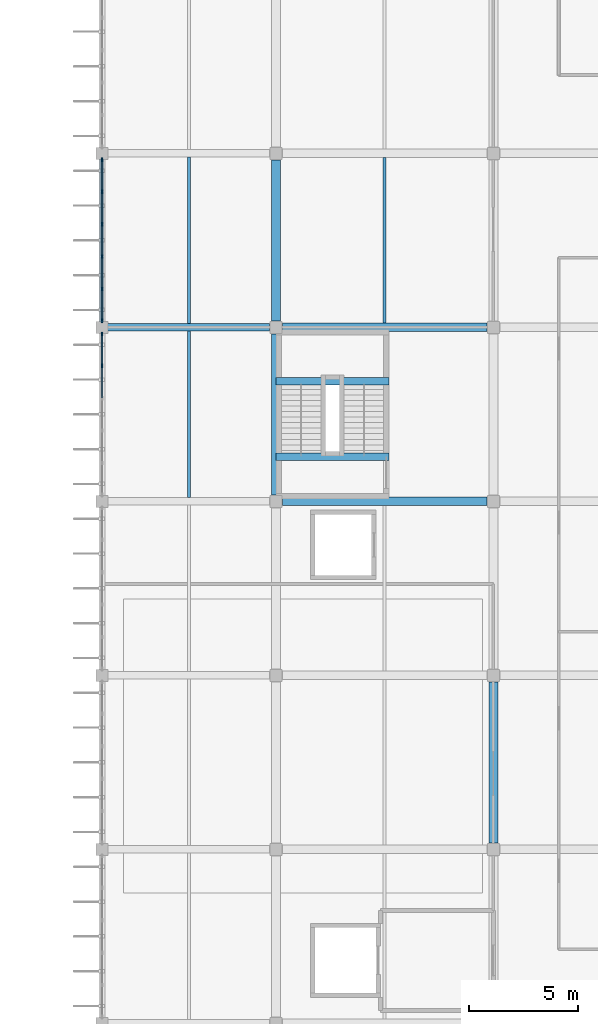
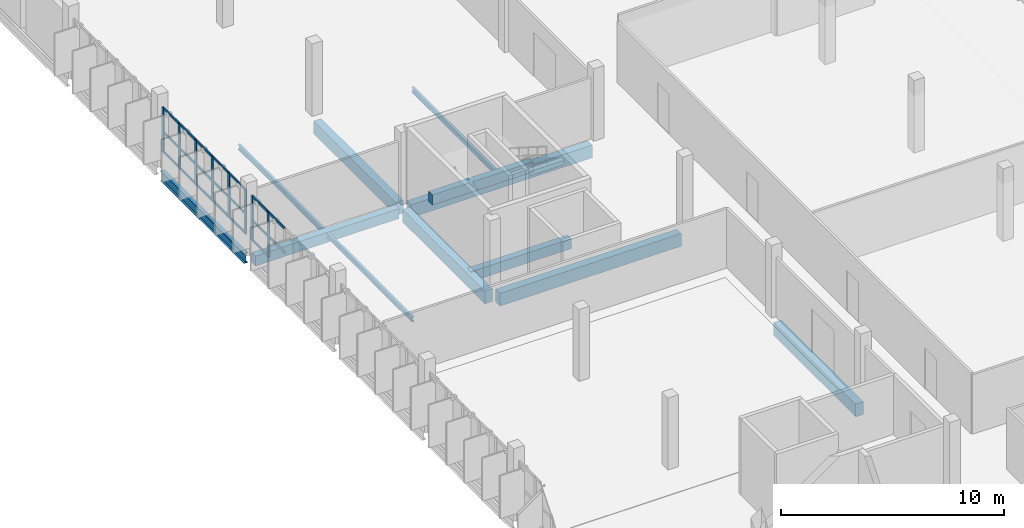
# One storey, part 15 of 38: 28 members, 12 beams, 2 elements without a shape of their own.
"""IFC4 building model written with IfcOpenShell, lengths in metres."""

from ifc_helpers import new_model, si_unit, direction, frame, origin, origin_2d, place, context, subcontext, project, spatial, rectangle, i_section, extrude, material, layer, layer_set, material_profile, profile_set, type_object, element, aggregate, save


model = new_model("IFC4")

# Units and contexts
model_context = context("Model", 3, precision=1e-05, world=origin(), true_north=direction((0.0, 1.0)))
body_context = subcontext(model_context, "Body", "Model", "MODEL_VIEW")
ifc_project = project(units=[si_unit("LENGTHUNIT", "METRE"), si_unit("AREAUNIT", "SQUARE_METRE"), si_unit("VOLUMEUNIT", "CUBIC_METRE"), si_unit("PLANEANGLEUNIT", "RADIAN"), si_unit("MASSUNIT", "GRAM", prefix="KILO")], contexts=[model_context])

# Site, building, storey
site_placement = place(None, origin())
site = spatial("IfcSite", under=ifc_project, at=site_placement, CompositionType="ELEMENT")
building_placement = place(site_placement, origin())
building = spatial("IfcBuilding", under=site, at=building_placement, Name="Drelvana Railside Aquatics Centre", CompositionType="ELEMENT")
storey_placement = place(building_placement, frame((0.0, 0.0, 14.39990234375)))
storey = spatial("IfcBuildingStorey", under=building, at=storey_placement, Name="L03", CompositionType="ELEMENT", Elevation=14.39990234375)

# Curtain wall, members
ifc_material_1 = material(Name="Bronze-anodised aluminium curtain wall", Category="aluminium")
ifc_layer = layer(ifc_material_1, 0.175048828125, Name="Bronze-anodised aluminium curtain wall")
ifc_layer_set = layer_set([ifc_layer], Name="Bronze-anodised aluminium curtain wall")
curtain_wall_type = type_object("IfcCurtainWallType", Name="CW-Z6-WING", PredefinedType="NOTDEFINED", material=ifc_layer_set)
curtain_wall_1_placement = place(storey_placement, origin())
curtain_wall_1 = element("IfcCurtainWall", 1, at=curtain_wall_1_placement, inside=storey, type_object=curtain_wall_type, Name="Curtain wall CW-06-154", PredefinedType="NOTDEFINED")
ifc_material_2 = material(Name="Bronze-anodised aluminium 6063-T6", Category="aluminium")
ifc_material_profile_1 = material_profile(ifc_material_2, rectangle(XDim=0.06494140625, YDim=0.175048828125, at=origin_2d()), Name="ALU-M 65x175")
ifc_profile_set_1 = profile_set([ifc_material_profile_1], Name="Bronze-anodised aluminium 6063-T6")
member_type_1 = type_object("IfcMemberType", Name="CW-Z6-WING-MUL", PredefinedType="MULLION", material=ifc_profile_set_1)
member_1_placement = place(storey_placement, frame((144.0, 62.238525390625, 0.794189453125), z_axis=(0.0, 0.0, 1.0), x_axis=(-1.0, 0.0, 0.0)))
member_1 = element("IfcMember", 2, at=member_1_placement, type_object=member_type_1, Name="CW-06 mullion 5", PredefinedType="MULLION", context=body_context, shape_type="SweptSolid", body=[
    extrude(rectangle(XDim=0.06494140625, YDim=0.175048828125, at=origin_2d()), origin(), (0.0, 0.0, 1.0), 2.455810546875),
])
member_2_placement = place(storey_placement, frame((144.0, 63.698486328125, 0.794189453125), z_axis=(0.0, 0.0, 1.0), x_axis=(-1.0, 0.0, 0.0)))
member_2 = element("IfcMember", 3, at=member_2_placement, type_object=member_type_1, Name="CW-06 mullion 6", PredefinedType="MULLION", context=body_context, shape_type="SweptSolid", body=[
    extrude(rectangle(XDim=0.06494140625, YDim=0.175048828125, at=origin_2d()), origin(), (0.0, 0.0, 1.0), 2.455810546875),
])

curtain_wall_2_placement = place(storey_placement, origin())
curtain_wall_2 = element("IfcCurtainWall", 4, at=curtain_wall_2_placement, inside=storey, type_object=curtain_wall_type, Name="Curtain wall CW-06-158", PredefinedType="NOTDEFINED")
member_3_placement = place(storey_placement, frame((144.0, 64.301513671875, 0.794189453125), z_axis=(0.0, 0.0, 1.0), x_axis=(-1.0, 0.0, 0.0)))
member_3 = element("IfcMember", 5, at=member_3_placement, type_object=member_type_1, Name="CW-06 mullion 1", PredefinedType="MULLION", context=body_context, shape_type="SweptSolid", body=[
    extrude(rectangle(XDim=0.06494140625, YDim=0.175048828125, at=origin_2d()), origin(), (0.0, 0.0, 1.0), 2.455810546875),
])
member_4_placement = place(storey_placement, frame((144.0, 65.761474609375, 0.794189453125), z_axis=(0.0, 0.0, 1.0), x_axis=(-1.0, 0.0, 0.0)))
member_4 = element("IfcMember", 6, at=member_4_placement, type_object=member_type_1, Name="CW-06 mullion 2", PredefinedType="MULLION", context=body_context, shape_type="SweptSolid", body=[
    extrude(rectangle(XDim=0.06494140625, YDim=0.175048828125, at=origin_2d()), origin(), (0.0, 0.0, 1.0), 2.455810546875),
])
member_5_placement = place(storey_placement, frame((144.0, 67.25390625, 0.794189453125), z_axis=(0.0, 0.0, 1.0), x_axis=(-1.0, 0.0, 0.0)))
member_5 = element("IfcMember", 7, at=member_5_placement, type_object=member_type_1, Name="CW-06 mullion 3", PredefinedType="MULLION", context=body_context, shape_type="SweptSolid", body=[
    extrude(rectangle(XDim=0.06494140625, YDim=0.175048828125, at=origin_2d()), origin(), (0.0, 0.0, 1.0), 2.455810546875),
])
member_6_placement = place(storey_placement, frame((144.0, 68.74609375, 0.794189453125), z_axis=(0.0, 0.0, 1.0), x_axis=(-1.0, 0.0, 0.0)))
member_6 = element("IfcMember", 8, at=member_6_placement, type_object=member_type_1, Name="CW-06 mullion 4", PredefinedType="MULLION", context=body_context, shape_type="SweptSolid", body=[
    extrude(rectangle(XDim=0.06494140625, YDim=0.175048828125, at=origin_2d()), origin(), (0.0, 0.0, 1.0), 2.455810546875),
])
member_7_placement = place(storey_placement, frame((144.0, 70.238525390625, 0.794189453125), z_axis=(0.0, 0.0, 1.0), x_axis=(-1.0, 0.0, 0.0)))
member_7 = element("IfcMember", 9, at=member_7_placement, type_object=member_type_1, Name="CW-06 mullion 5", PredefinedType="MULLION", context=body_context, shape_type="SweptSolid", body=[
    extrude(rectangle(XDim=0.06494140625, YDim=0.175048828125, at=origin_2d()), origin(), (0.0, 0.0, 1.0), 2.455810546875),
])
member_8_placement = place(storey_placement, frame((144.0, 71.698486328125, 0.794189453125), z_axis=(0.0, 0.0, 1.0), x_axis=(-1.0, 0.0, 0.0)))
member_8 = element("IfcMember", 10, at=member_8_placement, type_object=member_type_1, Name="CW-06 mullion 6", PredefinedType="MULLION", context=body_context, shape_type="SweptSolid", body=[
    extrude(rectangle(XDim=0.06494140625, YDim=0.175048828125, at=origin_2d()), origin(), (0.0, 0.0, 1.0), 2.455810546875),
])

# Member
ifc_material_profile_2 = material_profile(ifc_material_2, rectangle(XDim=0.1201171875, YDim=0.06005859375, at=origin_2d()), Name="ALU-T 60x120")
ifc_profile_set_2 = profile_set([ifc_material_profile_2], Name="Bronze-anodised aluminium 6063-T6")
member_type_2 = type_object("IfcMemberType", Name="CW-Z6-WING-TRN", PredefinedType="USERDEFINED", material=ifc_profile_set_2)
member_9_placement = place(storey_placement, frame((144.0, 60.773681640625, 1.899169921875), z_axis=(0.0, 1.0, 0.0), x_axis=(0.0, 0.0, 1.0)))
member_9 = element("IfcMember", 11, at=member_9_placement, type_object=member_type_2, Name="CW-06 transom 4.2", ObjectType="TRANSOM", PredefinedType="USERDEFINED", context=body_context, shape_type="SweptSolid", body=[
    extrude(rectangle(XDim=0.1201171875, YDim=0.06005859375, at=origin_2d()), origin(), (0.0, 0.0, 1.0), 1.4375),
])

member_10_placement = place(storey_placement, frame((144.0, 60.773681640625, 3.22021484375), z_axis=(0.0, 1.0, 0.0), x_axis=(0.0, 0.0, 1.0)))
member_10 = element("IfcMember", 12, at=member_10_placement, type_object=member_type_2, Name="CW-06 transom 4.3", ObjectType="TRANSOM", PredefinedType="USERDEFINED", context=body_context, shape_type="SweptSolid", body=[
    extrude(rectangle(XDim=0.1201171875, YDim=0.06005859375, at=origin_2d()), origin(), (0.0, 0.0, 1.0), 1.4375),
])

member_11_placement = place(storey_placement, frame((144.0, 62.26611328125, 0.82421875), z_axis=(0.0, 1.0, 0.0), x_axis=(0.0, 0.0, 1.0)))
member_11 = element("IfcMember", 13, at=member_11_placement, type_object=member_type_2, Name="CW-06 transom 5.1", ObjectType="TRANSOM", PredefinedType="USERDEFINED", context=body_context, shape_type="SweptSolid", body=[
    extrude(rectangle(XDim=0.1201171875, YDim=0.06005859375, at=origin_2d()), origin(), (0.0, 0.0, 1.0), 1.40478515625),
])

member_12_placement = place(storey_placement, frame((144.0, 62.26611328125, 1.899169921875), z_axis=(0.0, 1.0, 0.0), x_axis=(0.0, 0.0, 1.0)))
member_12 = element("IfcMember", 14, at=member_12_placement, type_object=member_type_2, Name="CW-06 transom 5.2", ObjectType="TRANSOM", PredefinedType="USERDEFINED", context=body_context, shape_type="SweptSolid", body=[
    extrude(rectangle(XDim=0.1201171875, YDim=0.06005859375, at=origin_2d()), origin(), (0.0, 0.0, 1.0), 1.40478515625),
])

member_13_placement = place(storey_placement, frame((144.0, 62.26611328125, 3.22021484375), z_axis=(0.0, 1.0, 0.0), x_axis=(0.0, 0.0, 1.0)))
member_13 = element("IfcMember", 15, at=member_13_placement, type_object=member_type_2, Name="CW-06 transom 5.3", ObjectType="TRANSOM", PredefinedType="USERDEFINED", context=body_context, shape_type="SweptSolid", body=[
    extrude(rectangle(XDim=0.1201171875, YDim=0.06005859375, at=origin_2d()), origin(), (0.0, 0.0, 1.0), 1.40478515625),
])

aggregate(curtain_wall_1, [member_1, member_2, member_9, member_10, member_11, member_12, member_13])

member_14_placement = place(storey_placement, frame((144.0, 64.3291015625, 0.82421875), z_axis=(0.0, 1.0, 0.0), x_axis=(0.0, 0.0, 1.0)))
member_14 = element("IfcMember", 16, at=member_14_placement, type_object=member_type_2, Name="CW-06 transom 1.1", ObjectType="TRANSOM", PredefinedType="USERDEFINED", context=body_context, shape_type="SweptSolid", body=[
    extrude(rectangle(XDim=0.1201171875, YDim=0.06005859375, at=origin_2d()), origin(), (0.0, 0.0, 1.0), 1.40478515625),
])

member_15_placement = place(storey_placement, frame((144.0, 64.3291015625, 1.899169921875), z_axis=(0.0, 1.0, 0.0), x_axis=(0.0, 0.0, 1.0)))
member_15 = element("IfcMember", 17, at=member_15_placement, type_object=member_type_2, Name="CW-06 transom 1.2", ObjectType="TRANSOM", PredefinedType="USERDEFINED", context=body_context, shape_type="SweptSolid", body=[
    extrude(rectangle(XDim=0.1201171875, YDim=0.06005859375, at=origin_2d()), origin(), (0.0, 0.0, 1.0), 1.40478515625),
])

member_16_placement = place(storey_placement, frame((144.0, 64.3291015625, 3.22021484375), z_axis=(0.0, 1.0, 0.0), x_axis=(0.0, 0.0, 1.0)))
member_16 = element("IfcMember", 18, at=member_16_placement, type_object=member_type_2, Name="CW-06 transom 1.3", ObjectType="TRANSOM", PredefinedType="USERDEFINED", context=body_context, shape_type="SweptSolid", body=[
    extrude(rectangle(XDim=0.1201171875, YDim=0.06005859375, at=origin_2d()), origin(), (0.0, 0.0, 1.0), 1.40478515625),
])

member_17_placement = place(storey_placement, frame((144.0, 65.788818359375, 0.82421875), z_axis=(0.0, 1.0, 0.0), x_axis=(0.0, 0.0, 1.0)))
member_17 = element("IfcMember", 19, at=member_17_placement, type_object=member_type_2, Name="CW-06 transom 2.1", ObjectType="TRANSOM", PredefinedType="USERDEFINED", context=body_context, shape_type="SweptSolid", body=[
    extrude(rectangle(XDim=0.1201171875, YDim=0.06005859375, at=origin_2d()), origin(), (0.0, 0.0, 1.0), 1.4375),
])

member_18_placement = place(storey_placement, frame((144.0, 65.788818359375, 1.899169921875), z_axis=(0.0, 1.0, 0.0), x_axis=(0.0, 0.0, 1.0)))
member_18 = element("IfcMember", 20, at=member_18_placement, type_object=member_type_2, Name="CW-06 transom 2.2", ObjectType="TRANSOM", PredefinedType="USERDEFINED", context=body_context, shape_type="SweptSolid", body=[
    extrude(rectangle(XDim=0.1201171875, YDim=0.06005859375, at=origin_2d()), origin(), (0.0, 0.0, 1.0), 1.4375),
])

member_19_placement = place(storey_placement, frame((144.0, 65.788818359375, 3.22021484375), z_axis=(0.0, 1.0, 0.0), x_axis=(0.0, 0.0, 1.0)))
member_19 = element("IfcMember", 21, at=member_19_placement, type_object=member_type_2, Name="CW-06 transom 2.3", ObjectType="TRANSOM", PredefinedType="USERDEFINED", context=body_context, shape_type="SweptSolid", body=[
    extrude(rectangle(XDim=0.1201171875, YDim=0.06005859375, at=origin_2d()), origin(), (0.0, 0.0, 1.0), 1.4375),
])

member_20_placement = place(storey_placement, frame((144.0, 67.28125, 0.82421875), z_axis=(0.0, 1.0, 0.0), x_axis=(0.0, 0.0, 1.0)))
member_20 = element("IfcMember", 22, at=member_20_placement, type_object=member_type_2, Name="CW-06 transom 3.1", ObjectType="TRANSOM", PredefinedType="USERDEFINED", context=body_context, shape_type="SweptSolid", body=[
    extrude(rectangle(XDim=0.1201171875, YDim=0.06005859375, at=origin_2d()), origin(), (0.0, 0.0, 1.0), 1.4375),
])

member_21_placement = place(storey_placement, frame((144.0, 67.28125, 1.899169921875), z_axis=(0.0, 1.0, 0.0), x_axis=(0.0, 0.0, 1.0)))
member_21 = element("IfcMember", 23, at=member_21_placement, type_object=member_type_2, Name="CW-06 transom 3.2", ObjectType="TRANSOM", PredefinedType="USERDEFINED", context=body_context, shape_type="SweptSolid", body=[
    extrude(rectangle(XDim=0.1201171875, YDim=0.06005859375, at=origin_2d()), origin(), (0.0, 0.0, 1.0), 1.4375),
])

member_22_placement = place(storey_placement, frame((144.0, 67.28125, 3.22021484375), z_axis=(0.0, 1.0, 0.0), x_axis=(0.0, 0.0, 1.0)))
member_22 = element("IfcMember", 24, at=member_22_placement, type_object=member_type_2, Name="CW-06 transom 3.3", ObjectType="TRANSOM", PredefinedType="USERDEFINED", context=body_context, shape_type="SweptSolid", body=[
    extrude(rectangle(XDim=0.1201171875, YDim=0.06005859375, at=origin_2d()), origin(), (0.0, 0.0, 1.0), 1.4375),
])

member_23_placement = place(storey_placement, frame((144.0, 68.773681640625, 0.82421875), z_axis=(0.0, 1.0, 0.0), x_axis=(0.0, 0.0, 1.0)))
member_23 = element("IfcMember", 25, at=member_23_placement, type_object=member_type_2, Name="CW-06 transom 4.1", ObjectType="TRANSOM", PredefinedType="USERDEFINED", context=body_context, shape_type="SweptSolid", body=[
    extrude(rectangle(XDim=0.1201171875, YDim=0.06005859375, at=origin_2d()), origin(), (0.0, 0.0, 1.0), 1.4375),
])

member_24_placement = place(storey_placement, frame((144.0, 68.773681640625, 1.899169921875), z_axis=(0.0, 1.0, 0.0), x_axis=(0.0, 0.0, 1.0)))
member_24 = element("IfcMember", 26, at=member_24_placement, type_object=member_type_2, Name="CW-06 transom 4.2", ObjectType="TRANSOM", PredefinedType="USERDEFINED", context=body_context, shape_type="SweptSolid", body=[
    extrude(rectangle(XDim=0.1201171875, YDim=0.06005859375, at=origin_2d()), origin(), (0.0, 0.0, 1.0), 1.4375),
])

member_25_placement = place(storey_placement, frame((144.0, 68.773681640625, 3.22021484375), z_axis=(0.0, 1.0, 0.0), x_axis=(0.0, 0.0, 1.0)))
member_25 = element("IfcMember", 27, at=member_25_placement, type_object=member_type_2, Name="CW-06 transom 4.3", ObjectType="TRANSOM", PredefinedType="USERDEFINED", context=body_context, shape_type="SweptSolid", body=[
    extrude(rectangle(XDim=0.1201171875, YDim=0.06005859375, at=origin_2d()), origin(), (0.0, 0.0, 1.0), 1.4375),
])

member_26_placement = place(storey_placement, frame((144.0, 70.26611328125, 0.82421875), z_axis=(0.0, 1.0, 0.0), x_axis=(0.0, 0.0, 1.0)))
member_26 = element("IfcMember", 28, at=member_26_placement, type_object=member_type_2, Name="CW-06 transom 5.1", ObjectType="TRANSOM", PredefinedType="USERDEFINED", context=body_context, shape_type="SweptSolid", body=[
    extrude(rectangle(XDim=0.1201171875, YDim=0.06005859375, at=origin_2d()), origin(), (0.0, 0.0, 1.0), 1.40478515625),
])

member_27_placement = place(storey_placement, frame((144.0, 70.26611328125, 1.899169921875), z_axis=(0.0, 1.0, 0.0), x_axis=(0.0, 0.0, 1.0)))
member_27 = element("IfcMember", 29, at=member_27_placement, type_object=member_type_2, Name="CW-06 transom 5.2", ObjectType="TRANSOM", PredefinedType="USERDEFINED", context=body_context, shape_type="SweptSolid", body=[
    extrude(rectangle(XDim=0.1201171875, YDim=0.06005859375, at=origin_2d()), origin(), (0.0, 0.0, 1.0), 1.40478515625),
])

member_28_placement = place(storey_placement, frame((144.0, 70.26611328125, 3.22021484375), z_axis=(0.0, 1.0, 0.0), x_axis=(0.0, 0.0, 1.0)))
member_28 = element("IfcMember", 30, at=member_28_placement, type_object=member_type_2, Name="CW-06 transom 5.3", ObjectType="TRANSOM", PredefinedType="USERDEFINED", context=body_context, shape_type="SweptSolid", body=[
    extrude(rectangle(XDim=0.1201171875, YDim=0.06005859375, at=origin_2d()), origin(), (0.0, 0.0, 1.0), 1.40478515625),
])

aggregate(curtain_wall_2, [member_3, member_4, member_5, member_6, member_7, member_8, member_14, member_15, member_16, member_17, member_18, member_19, member_20, member_21, member_22, member_23, member_24, member_25, member_26, member_27, member_28])

# Beams
ifc_material_3 = material(Name="Concrete C40/50", Category="concrete")
ifc_material_profile_3 = material_profile(ifc_material_3, rectangle(XDim=0.35009765625, YDim=0.550048828125, at=origin_2d()), Name="RC 350x550")
ifc_profile_set_3 = profile_set([ifc_material_profile_3], Name="Concrete C40/50")
beam_type_1 = type_object("IfcBeamType", Name="STR-BM-BM-01-RC-350x550", PredefinedType="BEAM", material=ifc_profile_set_3)
beam_1_placement = place(storey_placement, frame((144.25, 64.0, -0.514892578125), z_axis=(1.0, 0.0, 0.0), x_axis=(0.0, 1.0, 0.0)))
element("IfcBeam", 31, at=beam_1_placement, inside=storey, type_object=beam_type_1, Name="Girder BM-01 (L03)", PredefinedType="BEAM", context=body_context, shape_type="SweptSolid", body=[
    extrude(rectangle(XDim=0.35009765625, YDim=0.550048828125, at=origin_2d()), origin(), (0.0, 0.0, 1.0), 7.449951171875),
])
for number, where, z_axis, x_axis, name in (
    (32, (152.0, 58.050048828125, -0.474853515625), (1.0, 0.0, 0.0), (0.0, 1.0, 0.0), "Stair ST-08 L03 landing beam"),
    (33, (152.0, 61.52490234375, 1.625), (1.0, 0.0, 0.0), (0.0, 1.0, 0.0), "Stair ST-08 L03 mid-landing beam"),
):
    element("IfcBeam", number, at=place(storey_placement, frame(where, z_axis=z_axis, x_axis=x_axis)), inside=storey, type_object=beam_type_1, Name=name, PredefinedType="BEAM", context=body_context, shape_type="SweptSolid", body=[
        extrude(rectangle(XDim=0.35009765625, YDim=0.550048828125, at=origin_2d()), origin(), (0.0, 0.0, 1.0), 5.199951171875),
    ])
ifc_material_profile_4 = material_profile(ifc_material_3, rectangle(XDim=0.39990234375, YDim=0.699951171875, at=origin_2d()), Name="RC 400x700")
ifc_profile_set_4 = profile_set([ifc_material_profile_4], Name="Concrete C40/50")
beam_type_2 = type_object("IfcBeamType", Name="STR-BM-BM-03-RC-400x700", PredefinedType="BEAM", material=ifc_profile_set_4)
for number, where, z_axis, x_axis, name in (
    (34, (152.300048828125, 56.0, -0.58984375), (1.0, 0.0, 0.0), (0.0, 1.0, 0.0), "Girder BM-03 (L03)"),
    (35, (152.300048828125, 64.0, -0.58984375), (1.0, 0.0, 0.0), (0.0, 1.0, 0.0), "Girder BM-03 (L03)"),
):
    element("IfcBeam", number, at=place(storey_placement, frame(where, z_axis=z_axis, x_axis=x_axis)), inside=storey, type_object=beam_type_2, Name=name, PredefinedType="BEAM", context=body_context, shape_type="SweptSolid", body=[
        extrude(rectangle(XDim=0.39990234375, YDim=0.699951171875, at=origin_2d()), origin(), (0.0, 0.0, 1.0), 9.39990234375),
    ])
for number, where, z_axis, x_axis, name in (
    (36, (152.0, 56.300048828125, -0.58984375), (0.0, 1.0, 0.0), (-1.0, 0.0, 0.0), "Girder BM-03 (L03)"),
    (37, (152.0, 64.300048828125, -0.58984375), (0.0, 1.0, 0.0), (-1.0, 0.0, 0.0), "Girder BM-03 (L03)"),
    (38, (162.0, 40.300048828125, -0.58984375), (0.0, 1.0, 0.0), (-1.0, 0.0, 0.0), "Girder BM-03 (L03)"),
):
    element("IfcBeam", number, at=place(storey_placement, frame(where, z_axis=z_axis, x_axis=x_axis)), inside=storey, type_object=beam_type_2, Name=name, PredefinedType="BEAM", context=body_context, shape_type="SweptSolid", body=[
        extrude(rectangle(XDim=0.39990234375, YDim=0.699951171875, at=origin_2d()), origin(), (0.0, 0.0, 1.0), 7.39990234375),
    ])
ifc_material_4 = material(Name="Structural steel S355", Category="steel")
ifc_material_profile_5 = material_profile(ifc_material_4, i_section(OverallWidth=0.2099609375, OverallDepth=0.550048828125, WebThickness=0.010986328125, FlangeThickness=0.01708984375, at=origin_2d()), Name="IPE 550")
ifc_profile_set_5 = profile_set([ifc_material_profile_5], Name="Structural steel S355")
beam_type_3 = type_object("IfcBeamType", Name="STR-SBM-SB-04-IPE-550", PredefinedType="SPANDREL", material=ifc_profile_set_5)
beam_2_placement = place(storey_placement, frame((144.0, 64.25, -0.514892578125), z_axis=(0.0, 1.0, 0.0), x_axis=(-1.0, 0.0, 0.0)))
element("IfcBeam", 39, at=beam_2_placement, inside=storey, type_object=beam_type_3, Name="Girder SB-04 (L03)", PredefinedType="SPANDREL", context=body_context, shape_type="SweptSolid", body=[
    extrude(i_section(OverallWidth=0.2099609375, OverallDepth=0.550048828125, WebThickness=0.010986328125, FlangeThickness=0.01708984375, at=origin_2d()), origin(), (0.0, 0.0, 1.0), 7.5),
])
ifc_material_profile_6 = material_profile(ifc_material_4, i_section(OverallWidth=0.135009765625, OverallDepth=0.27001953125, WebThickness=0.006591796875, FlangeThickness=0.01025390625, at=origin_2d()), Name="IPE 270")
ifc_profile_set_6 = profile_set([ifc_material_profile_6], Name="Structural steel S355")
beam_type_4 = type_object("IfcBeamType", Name="STR-SBM-SJ-02-IPE-270", PredefinedType="JOIST", material=ifc_profile_set_6)
for number, where, z_axis, x_axis, name in (
    (40, (148.0, 56.175048828125, -0.375), (0.0, 1.0, 0.0), (-1.0, 0.0, 0.0), "Secondary floor joist SJ-02 (L03)"),
    (41, (148.0, 64.175048828125, -0.375), (0.0, 1.0, 0.0), (-1.0, 0.0, 0.0), "Secondary floor joist SJ-02 (L03)"),
):
    element("IfcBeam", number, at=place(storey_placement, frame(where, z_axis=z_axis, x_axis=x_axis)), inside=storey, type_object=beam_type_4, Name=name, PredefinedType="JOIST", context=body_context, shape_type="SweptSolid", body=[
        extrude(i_section(OverallWidth=0.135009765625, OverallDepth=0.27001953125, WebThickness=0.006591796875, FlangeThickness=0.01025390625, at=origin_2d()), origin(), (0.0, 0.0, 1.0), 7.64990234375),
    ])
beam_3_placement = place(storey_placement, frame((157.0, 64.199951171875, -0.375), z_axis=(0.0, 1.0, 0.0), x_axis=(-1.0, 0.0, 0.0)))
element("IfcBeam", 42, at=beam_3_placement, inside=storey, type_object=beam_type_4, Name="Secondary floor joist SJ-02 (L03)", PredefinedType="JOIST", context=body_context, shape_type="SweptSolid", body=[
    extrude(i_section(OverallWidth=0.135009765625, OverallDepth=0.27001953125, WebThickness=0.006591796875, FlangeThickness=0.01025390625, at=origin_2d()), origin(), (0.0, 0.0, 1.0), 7.60009765625),
])

save(model, "model.ifc")
